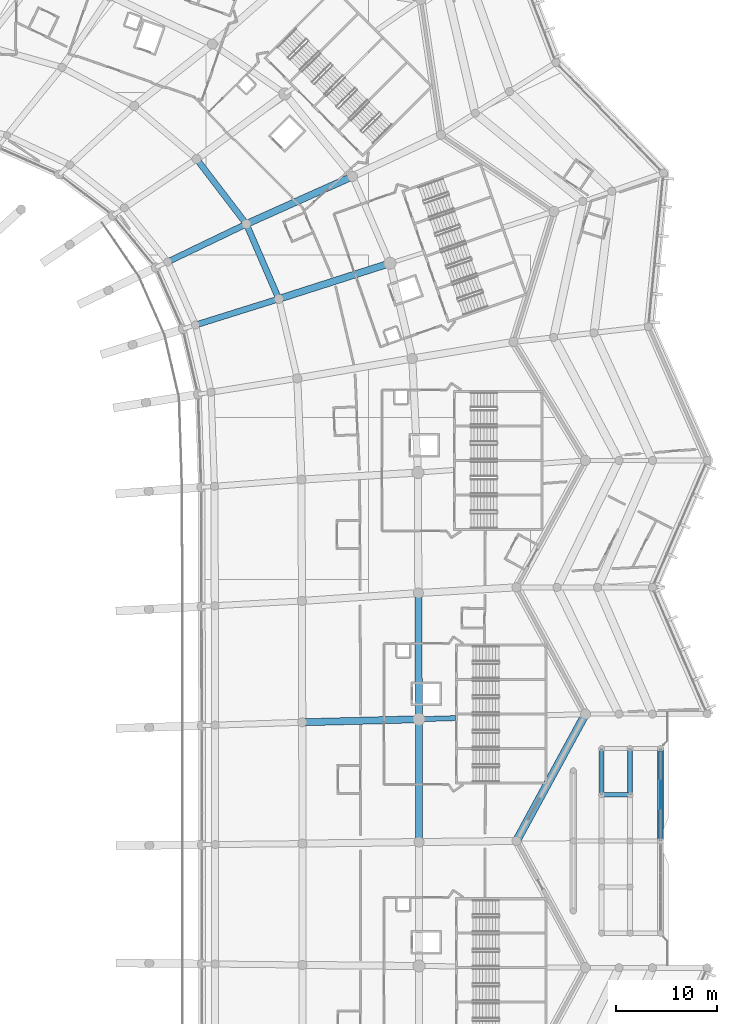
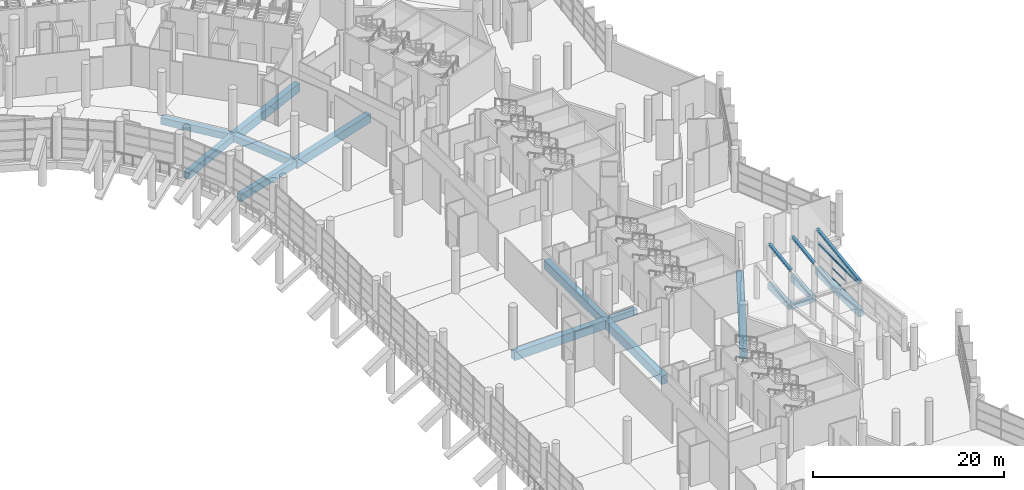
# One storey, part 96 of 271: 19 beams, 3 members, 1 element without a shape of its own.
"""IFC4 building model written with IfcOpenShell, lengths in metres."""

from ifc_helpers import new_model, si_unit, direction, frame, origin, origin_2d, place, context, subcontext, project, spatial, rectangle, i_section, extrude, material, layer, layer_set, material_profile, profile_set, type_object, element, aggregate, save


model = new_model("IFC4")

# Units and contexts
model_context = context("Model", 3, precision=1e-05, world=origin(), true_north=direction((0.0, 1.0)))
body_context = subcontext(model_context, "Body", "Model", "MODEL_VIEW")
ifc_project = project(units=[si_unit("LENGTHUNIT", "METRE"), si_unit("AREAUNIT", "SQUARE_METRE"), si_unit("VOLUMEUNIT", "CUBIC_METRE"), si_unit("PLANEANGLEUNIT", "RADIAN"), si_unit("MASSUNIT", "GRAM", prefix="KILO")], contexts=[model_context])

# Site, building, storey
site_placement = place(None, origin())
site = spatial("IfcSite", under=ifc_project, at=site_placement, CompositionType="ELEMENT")
building_placement = place(site_placement, origin())
building = spatial("IfcBuilding", under=site, at=building_placement, Name="Meseta Stadium", CompositionType="ELEMENT")
storey_placement = place(building_placement, frame((0.0, 0.0, 6.5)))
storey = spatial("IfcBuildingStorey", under=building, at=storey_placement, Name="L01", CompositionType="ELEMENT", Elevation=6.5)

# Beams
ifc_material_1 = material(Name="Steel S355", Category="steel")
ifc_material_profile_1 = material_profile(ifc_material_1, i_section(OverallWidth=0.300048828125, OverallDepth=0.300048828125, WebThickness=0.010986328125, FlangeThickness=0.01904296875, FilletRadius=0.027099609375, at=origin_2d()), Name="HEB 300")
ifc_profile_set_1 = profile_set([ifc_material_profile_1], Name="Steel S355")
beam_type_1 = type_object("IfcBeamType", Name="Gate roof beam HEB 300", PredefinedType="BEAM", material=ifc_profile_set_1)
beam_1_placement = place(storey_placement, frame((108.800048828125, 6.550048828125, 2.845947265625), z_axis=(0.0, 1.0, 0.0), x_axis=(-1.0, 0.0, 0.0)))
element("IfcBeam", 1, at=beam_1_placement, inside=storey, type_object=beam_type_1, Name="Gate 1 head beam", PredefinedType="BEAM", context=body_context, shape_type="SweptSolid", body=[
    extrude(i_section(OverallWidth=0.300048828125, OverallDepth=0.300048828125, WebThickness=0.010986328125, FlangeThickness=0.01904296875, FilletRadius=0.027099609375, at=origin_2d()), origin(), (0.0, 0.0, 1.0), 8.5),
])
ifc_material_2 = material(Name="Steel S355", Category="steel")
ifc_material_profile_2 = material_profile(ifc_material_2, i_section(OverallWidth=0.300048828125, OverallDepth=0.300048828125, WebThickness=0.010986328125, FlangeThickness=0.01904296875, FilletRadius=0.027099609375, at=origin_2d()), Name="HEB 300")
ifc_profile_set_2 = profile_set([ifc_material_profile_2], Name="Steel S355")
beam_type_2 = type_object("IfcBeamType", Name="Gate roof beam HEB 300 rafter", PredefinedType="BEAM", material=ifc_profile_set_2)
for number, where, z_axis, x_axis, name in (
    (2, (103.0, 10.800048828125, 3.908935546875), (0.0, 0.99034305998, 0.138638463459), (-1.0, 0.0, 0.0), "Gate 1 roof rafter"),
    (3, (105.800048828125, 10.800048828125, 3.85302734375), (0.0, 0.99034305998, 0.138638463459), (-1.0, 0.0, 0.0), "Gate 1 roof rafter"),
):
    element("IfcBeam", number, at=place(storey_placement, frame(where, z_axis=z_axis, x_axis=x_axis)), inside=storey, type_object=beam_type_2, Name=name, PredefinedType="BEAM", context=body_context, shape_type="SweptSolid", body=[
        extrude(i_section(OverallWidth=0.300048828125, OverallDepth=0.300048828125, WebThickness=0.010986328125, FlangeThickness=0.01904296875, FilletRadius=0.027099609375, at=origin_2d()), origin(), (0.0, 0.0, 1.0), 4.594482421875),
    ])
beam_2_placement = place(storey_placement, frame((108.800048828125, 6.25, 3.156005859375), z_axis=(0.0, 0.99034305998, 0.138638463459), x_axis=(-1.0, 0.0, 0.0)))
element("IfcBeam", 4, at=beam_2_placement, inside=storey, type_object=beam_type_2, Name="Gate 1 roof rafter", PredefinedType="BEAM", context=body_context, shape_type="SweptSolid", body=[
    extrude(i_section(OverallWidth=0.300048828125, OverallDepth=0.300048828125, WebThickness=0.010986328125, FlangeThickness=0.01904296875, FilletRadius=0.027099609375, at=origin_2d()), origin(), (0.0, 0.0, 1.0), 9.188720703125),
])
ifc_material_3 = material(Name="Concrete C40/50", Category="concrete")
ifc_material_profile_3 = material_profile(ifc_material_3, rectangle(XDim=0.39990234375, YDim=0.60009765625, at=origin_2d()), Name="RC 400x600")
ifc_profile_set_3 = profile_set([ifc_material_profile_3], Name="Concrete C40/50")
beam_type_3 = type_object("IfcBeamType", Name="RC beam 400x600", PredefinedType="BEAM", material=ifc_profile_set_3)
beam_3_placement = place(storey_placement, frame((103.0, 10.800048828125, -0.64990234375), z_axis=(1.0, 0.0, 0.0), x_axis=(0.0, 1.0, 0.0)))
element("IfcBeam", 5, at=beam_3_placement, inside=storey, type_object=beam_type_3, Name="Gate 1 floor beam", PredefinedType="BEAM", context=body_context, shape_type="SweptSolid", body=[
    extrude(rectangle(XDim=0.39990234375, YDim=0.60009765625, at=origin_2d()), origin(), (0.0, 0.0, 1.0), 2.800048828125),
])
ifc_material_4 = material(Name="Concrete C40/50", Category="concrete")
ifc_material_profile_4 = material_profile(ifc_material_4, rectangle(XDim=0.5, YDim=0.75, at=origin_2d()), Name="RC 500x750")
ifc_profile_set_4 = profile_set([ifc_material_profile_4], Name="Concrete C40/50")
beam_type_4 = type_object("IfcBeamType", Name="RC beam 500x750", PredefinedType="BEAM", material=ifc_profile_set_4)
beam_4_placement = place(storey_placement, frame((84.978515625, 18.24365234375, -0.72509765625), z_axis=(0.999525783299, 0.030792994672, 0.0), x_axis=(-0.030792994672, 0.999525783299, 0.0)))
element("IfcBeam", 6, at=beam_4_placement, inside=storey, type_object=beam_type_4, Name="L01 radial beam frame 6 line P to R", PredefinedType="BEAM", context=body_context, shape_type="SweptSolid", body=[
    extrude(rectangle(XDim=0.5, YDim=0.75, at=origin_2d()), origin(), (0.0, 0.0, 1.0), 3.623291015625),
])
for number, where, z_axis, x_axis, name in (
    (7, (103.0, 10.800048828125, -0.72509765625), (0.0, 1.0, 0.0), (-1.0, 0.0, 0.0), "Gate 1 floor beam"),
    (8, (105.800048828125, 10.800048828125, -0.72509765625), (0.0, 1.0, 0.0), (-1.0, 0.0, 0.0), "Gate 1 floor beam"),
):
    element("IfcBeam", number, at=place(storey_placement, frame(where, z_axis=z_axis, x_axis=x_axis)), inside=storey, type_object=beam_type_4, Name=name, PredefinedType="BEAM", context=body_context, shape_type="SweptSolid", body=[
        extrude(rectangle(XDim=0.5, YDim=0.75, at=origin_2d()), origin(), (0.0, 0.0, 1.0), 4.550048828125),
    ])
ifc_material_5 = material(Name="Concrete C40/50", Category="concrete")
ifc_material_profile_5 = material_profile(ifc_material_5, rectangle(XDim=0.60009765625, YDim=0.89990234375, at=origin_2d()), Name="RC 600x900")
ifc_profile_set_5 = profile_set([ifc_material_profile_5], Name="Concrete C40/50")
beam_type_5 = type_object("IfcBeamType", Name="RC beam 600x900", PredefinedType="BEAM", material=ifc_profile_set_5)
beam_5_placement = place(storey_placement, frame((71.169677734375, 59.67724609375, -0.800048828125), z_axis=(-0.397502661884, 0.91760102103, 0.0), x_axis=(-0.91760102103, -0.397502661884, 0.0)))
element("IfcBeam", 9, at=beam_5_placement, inside=storey, type_object=beam_type_5, Name="L01 ring beam frame 10 line E", PredefinedType="BEAM", context=body_context, shape_type="SweptSolid", body=[
    extrude(rectangle(XDim=0.60009765625, YDim=0.89990234375, at=origin_2d()), origin(), (0.0, 0.0, 1.0), 8.04345703125),
])
beam_6_placement = place(storey_placement, frame((67.972412109375, 67.057861328125, -0.800048828125), z_axis=(-0.607521948786, 0.794302890428, 0.0), x_axis=(-0.794302890428, -0.607521948786, 0.0)))
element("IfcBeam", 10, at=beam_6_placement, inside=storey, type_object=beam_type_5, Name="L01 ring beam frame 11 line E", PredefinedType="BEAM", context=body_context, shape_type="SweptSolid", body=[
    extrude(rectangle(XDim=0.60009765625, YDim=0.89990234375, at=origin_2d()), origin(), (0.0, 0.0, 1.0), 8.072509765625),
])
for number, where, z_axis, x_axis, name in (
    (11, (62.963623046875, 57.1044921875, -0.800048828125), (0.9542027514, 0.299160674588, 0.0), (-0.299160674588, 0.9542027514, 0.0), "L01 radial beam frame 10 line D to E"),
    (12, (60.22216796875, 63.33056640625, -0.800048828125), (0.901197200503, 0.433409282094, 0.0), (-0.433409282094, 0.901197200503, 0.0), "L01 radial beam frame 11 line D to E"),
):
    element("IfcBeam", number, at=place(storey_placement, frame(where, z_axis=z_axis, x_axis=x_axis)), inside=storey, type_object=beam_type_5, Name=name, PredefinedType="BEAM", context=body_context, shape_type="SweptSolid", body=[
        extrude(rectangle(XDim=0.60009765625, YDim=0.89990234375, at=origin_2d()), origin(), (0.0, 0.0, 1.0), 8.599853515625),
    ])
beam_7_placement = place(storey_placement, frame((108.800048828125, 6.25, -0.800048828125), z_axis=(0.0, 1.0, 0.0), x_axis=(-1.0, 0.0, 0.0)))
element("IfcBeam", 13, at=beam_7_placement, inside=storey, type_object=beam_type_5, Name="Gate 1 floor beam", PredefinedType="BEAM", context=body_context, shape_type="SweptSolid", body=[
    extrude(rectangle(XDim=0.60009765625, YDim=0.89990234375, at=origin_2d()), origin(), (0.0, 0.0, 1.0), 9.10009765625),
])
ifc_material_6 = material(Name="Concrete C40/50", Category="concrete")
ifc_material_profile_6 = material_profile(ifc_material_6, rectangle(XDim=0.699951171875, YDim=1.10009765625, at=origin_2d()), Name="RC 700x1100")
ifc_profile_set_6 = profile_set([ifc_material_profile_6], Name="Concrete C40/50")
beam_type_6 = type_object("IfcBeamType", Name="RC beam 700x1100", PredefinedType="BEAM", material=ifc_profile_set_6)
beam_8_placement = place(storey_placement, frame((84.9970703125, 6.13720703125, -0.89990234375), z_axis=(-0.001532627062, 0.999998825526, 0.0), x_axis=(-0.999998825526, -0.001532627062, 0.0)))
element("IfcBeam", 14, at=beam_8_placement, inside=storey, type_object=beam_type_6, Name="L01 ring beam frame 5 line P", PredefinedType="BEAM", context=body_context, shape_type="SweptSolid", body=[
    extrude(rectangle(XDim=0.699951171875, YDim=1.10009765625, at=origin_2d()), origin(), (0.0, 0.0, 1.0), 12.1064453125),
])
beam_9_placement = place(storey_placement, frame((84.978515625, 18.24365234375, -0.89990234375), z_axis=(-0.004279001378, 0.999990845032, 0.0), x_axis=(-0.999990845032, -0.004279001378, 0.0)))
element("IfcBeam", 15, at=beam_9_placement, inside=storey, type_object=beam_type_6, Name="L01 ring beam frame 6 line P", PredefinedType="BEAM", context=body_context, shape_type="SweptSolid", body=[
    extrude(rectangle(XDim=0.699951171875, YDim=1.10009765625, at=origin_2d()), origin(), (0.0, 0.0, 1.0), 12.43798828125),
])
beam_10_placement = place(storey_placement, frame((73.482421875, 17.943603515625, -0.89990234375), z_axis=(0.999659567147, 0.026091182637, 0.0), x_axis=(-0.026091182637, 0.999659567147, 0.0)))
element("IfcBeam", 16, at=beam_10_placement, inside=storey, type_object=beam_type_6, Name="L01 radial beam frame 6 line E to P", PredefinedType="BEAM", context=body_context, shape_type="SweptSolid", body=[
    extrude(rectangle(XDim=0.699951171875, YDim=1.10009765625, at=origin_2d()), origin(), (0.0, 0.0, 1.0), 11.5),
])
beam_11_placement = place(storey_placement, frame((71.169677734375, 59.67724609375, -0.89990234375), z_axis=(0.952175117954, 0.305552850992, 0.0), x_axis=(-0.305552850992, 0.952175117954, 0.0)))
element("IfcBeam", 17, at=beam_11_placement, inside=storey, type_object=beam_type_6, Name="L01 radial beam frame 10 line E to P", PredefinedType="BEAM", context=body_context, shape_type="SweptSolid", body=[
    extrude(rectangle(XDim=0.699951171875, YDim=1.10009765625, at=origin_2d()), origin(), (0.0, 0.0, 1.0), 11.500244140625),
])
beam_12_placement = place(storey_placement, frame((67.972412109375, 67.057861328125, -0.89990234375), z_axis=(0.912395676752, 0.409309331734, 0.0), x_axis=(-0.409309331734, 0.912395676752, 0.0)))
element("IfcBeam", 18, at=beam_12_placement, inside=storey, type_object=beam_type_6, Name="L01 radial beam frame 11 line E to P", PredefinedType="BEAM", context=body_context, shape_type="SweptSolid", body=[
    extrude(rectangle(XDim=0.699951171875, YDim=1.10009765625, at=origin_2d()), origin(), (0.0, 0.0, 1.0), 11.478515625),
])
ifc_material_7 = material(Name="Concrete C40/50", Category="concrete")
ifc_material_profile_7 = material_profile(ifc_material_7, rectangle(XDim=0.800048828125, YDim=1.300048828125, at=origin_2d()), Name="RC 800x1300")
ifc_profile_set_7 = profile_set([ifc_material_profile_7], Name="Concrete C40/50")
beam_type_7 = type_object("IfcBeamType", Name="RC beam 800x1300", PredefinedType="BEAM", material=ifc_profile_set_7)
beam_13_placement = place(storey_placement, frame((94.60009765625, 6.25, -1.0), z_axis=(0.47785649891, 0.878437912689, 0.0), x_axis=(-0.878437912689, 0.47785649891, 0.0)))
element("IfcBeam", 19, at=beam_13_placement, inside=storey, type_object=beam_type_7, Name="L01 ring beam frame 5 line R", PredefinedType="BEAM", context=body_context, shape_type="SweptSolid", body=[
    extrude(rectangle(XDim=0.800048828125, YDim=1.300048828125, at=origin_2d()), origin(), (0.0, 0.0, 1.0), 14.229736328125),
])

# Curtain wall, members
ifc_material_8 = material(Name="Aluminium", Category="aluminium")
ifc_layer = layer(ifc_material_8, 0.199951171875)
ifc_layer_set = layer_set([ifc_layer], Name="Gate hall curtain wall")
curtain_wall_type = type_object("IfcCurtainWallType", Name="Gate hall curtain wall", PredefinedType="NOTDEFINED", material=ifc_layer_set)
curtain_wall_placement = place(storey_placement, origin())
curtain_wall = element("IfcCurtainWall", 20, at=curtain_wall_placement, inside=storey, type_object=curtain_wall_type, Name="Gate 1 hall glazing", PredefinedType="NOTDEFINED")
ifc_material_9 = material(Name="Aluminium", Category="aluminium")
ifc_material_profile_8 = material_profile(ifc_material_9, rectangle(XDim=0.06005859375, YDim=0.14990234375, at=origin_2d()), Name="CW 60x150")
ifc_profile_set_8 = profile_set([ifc_material_profile_8], Name="Aluminium")
member_type = type_object("IfcMemberType", Name="Ring CW transom 60x150", PredefinedType="USERDEFINED", material=ifc_profile_set_8)
member_1_placement = place(storey_placement, frame((108.800048828125, 12.186767578125, 0.074951171875), z_axis=(0.0, -1.0, 0.0), x_axis=(1.0, 0.0, 0.0)))
member_1 = element("IfcMember", 21, at=member_1_placement, type_object=member_type, Name="CWG1 transom 2.1", ObjectType="TRANSOM", PredefinedType="USERDEFINED", context=body_context, shape_type="SweptSolid", body=[
    extrude(rectangle(XDim=0.06005859375, YDim=0.14990234375, at=origin_2d()), origin(), (0.0, 0.0, 1.0), 2.7734375),
])
member_2_placement = place(storey_placement, frame((108.800048828125, 12.186767578125, 1.347900390625), z_axis=(0.0, -1.0, 0.0), x_axis=(1.0, 0.0, 0.0)))
member_2 = element("IfcMember", 22, at=member_2_placement, type_object=member_type, Name="CWG1 transom 2.2", ObjectType="TRANSOM", PredefinedType="USERDEFINED", context=body_context, shape_type="SweptSolid", body=[
    extrude(rectangle(XDim=0.06005859375, YDim=0.14990234375, at=origin_2d()), origin(), (0.0, 0.0, 1.0), 2.7734375),
])
member_3_placement = place(storey_placement, frame((108.800048828125, 12.186767578125, 2.62109375), z_axis=(0.0, -1.0, 0.0), x_axis=(1.0, 0.0, 0.0)))
member_3 = element("IfcMember", 23, at=member_3_placement, type_object=member_type, Name="CWG1 transom 2.3", ObjectType="TRANSOM", PredefinedType="USERDEFINED", context=body_context, shape_type="SweptSolid", body=[
    extrude(rectangle(XDim=0.06005859375, YDim=0.14990234375, at=origin_2d()), origin(), (0.0, 0.0, 1.0), 2.7734375),
])
aggregate(curtain_wall, [member_1, member_2, member_3])

save(model, "model.ifc")
